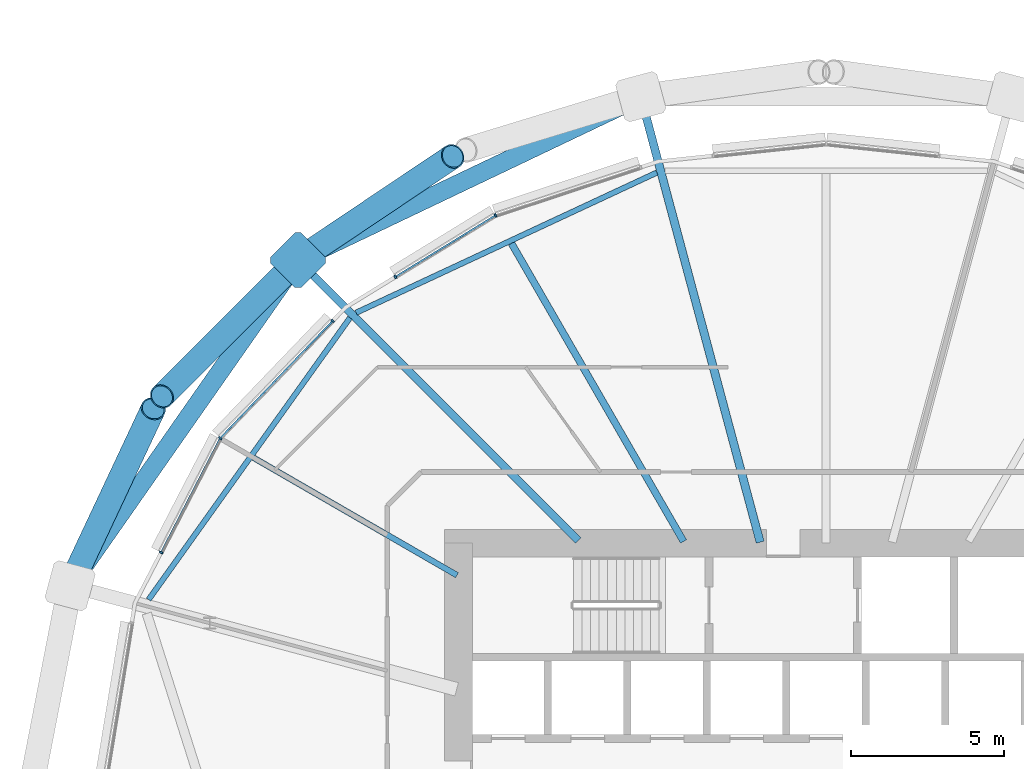
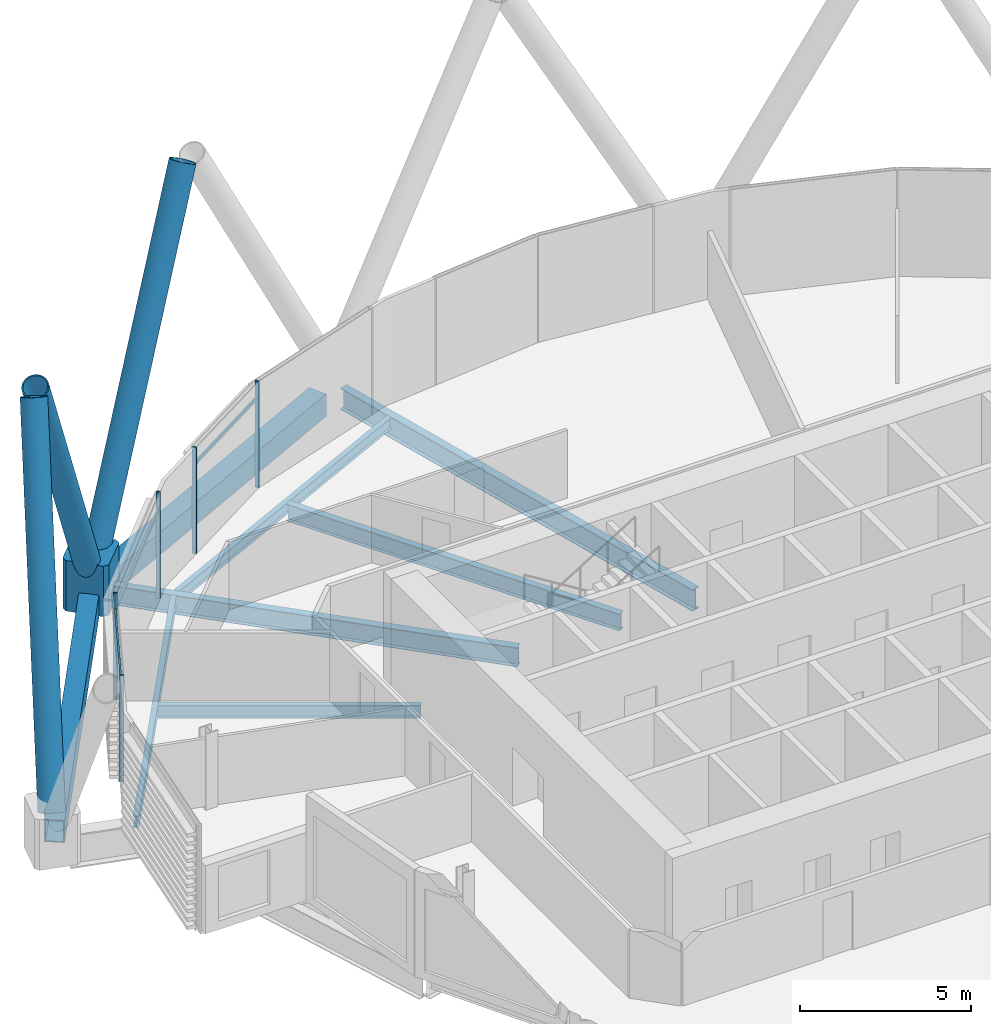
# One storey, part 8 of 36: 12 members, 8 beams, 1 element without a shape of its own.
"""IFC4 building model written with IfcOpenShell, lengths in metres."""

import ifcopenshell
import ifcopenshell.guid

model = None  # the IFC model being written
_history = None  # IfcOwnerHistory: only IFC2X3 demands one
_inside = {}  # id of a spatial element -> (the spatial element, [elements in it])
_under = {}  # id of a project, library or spatial element -> (it, [spatial elements below it])
_declared = {}  # id of a project -> (the project, [libraries it declares])
_typed = {}  # id of a type object -> (the type object, [elements of that type])
_made_of = {}  # id of a material, layer set ... -> (it, [elements and type objects made of it])


def new_model(schema):
    """Start an empty IFC model of exactly this schema.

    Asked for "IFC4X3", IfcOpenShell would pick the latest addendum, in which some entities
    have other attributes; the version numbers below select the first issue.
    IFC2X3 requires an IfcOwnerHistory on every rooted entity: one is made here for all.
    """
    global model, _history
    if schema == "IFC4X3":
        model = ifcopenshell.file(schema_version=(4, 3, 0, 0))
    else:
        model = ifcopenshell.file(schema=schema)
    _inside.clear()
    _under.clear()
    _declared.clear()
    _typed.clear()
    _made_of.clear()
    _history = None
    if model.schema == "IFC2X3":
        org = make("IfcOrganization", Name="unknown")
        user = make(
            "IfcPersonAndOrganization",
            ThePerson=make("IfcPerson", FamilyName="unknown"),
            TheOrganization=org,
        )
        app = make(
            "IfcApplication",
            ApplicationDeveloper=org,
            Version="unknown",
            ApplicationFullName="unknown",
            ApplicationIdentifier="unknown",
        )
        _history = make(
            "IfcOwnerHistory",
            OwningUser=user,
            OwningApplication=app,
            ChangeAction="ADDED",
            CreationDate=0,
        )
    return model


def make(cls, **values):
    """One entity of the class cls with the attributes given. An attribute that is None is left unset."""
    return model.create_entity(
        cls, **{name: value for name, value in values.items() if value is not None}
    )


def rooted(cls, **values):
    """An entity with a GlobalId (a new one), such as an element, a storey or a relation."""
    return make(cls, GlobalId=ifcopenshell.guid.new(), OwnerHistory=_history, **values)


def si_unit(unit_type, name, prefix=None):
    """IfcSIUnit, for example si_unit("LENGTHUNIT", "METRE", prefix="MILLI")."""
    return make("IfcSIUnit", UnitType=unit_type, Prefix=prefix, Name=name)


def assignment(units):
    """IfcUnitAssignment: the units of a project."""
    return None if units is None else make("IfcUnitAssignment", Units=units)


def point(xyz):
    """IfcCartesianPoint."""
    return None if xyz is None else make("IfcCartesianPoint", Coordinates=xyz)


def direction(xyz):
    """IfcDirection."""
    return None if xyz is None else make("IfcDirection", DirectionRatios=xyz)


def frame(location, z_axis=None, x_axis=None):
    """IfcAxis2Placement3D, a coordinate frame: its origin and axes. An axis left out is left unset."""
    return make(
        "IfcAxis2Placement3D",
        Location=point(location),
        Axis=direction(z_axis),
        RefDirection=direction(x_axis),
    )


def frame_2d(location, x_axis=None):
    """IfcAxis2Placement2D, a coordinate frame in the plane: its origin and x axis."""
    return make(
        "IfcAxis2Placement2D", Location=point(location), RefDirection=direction(x_axis)
    )


def origin():
    """The frame at (0, 0, 0) with its axes left unset."""
    return frame((0.0, 0.0, 0.0))


def origin_2d():
    """The frame at (0, 0) in the plane with its x axis left unset."""
    return frame_2d((0.0, 0.0))


def place(relative_to, where):
    """IfcLocalPlacement: puts the frame where relative to a parent placement (None: the world)."""
    return make(
        "IfcLocalPlacement", PlacementRelTo=relative_to, RelativePlacement=where
    )


def context(
    kind, dimensions, precision=None, world=None, true_north=None, identifier=None
):
    """IfcGeometricRepresentationContext, for example the 3D "Model" context."""
    return make(
        "IfcGeometricRepresentationContext",
        ContextIdentifier=identifier,
        ContextType=kind,
        CoordinateSpaceDimension=dimensions,
        Precision=precision,
        WorldCoordinateSystem=world,
        TrueNorth=true_north,
    )


def subcontext(parent, identifier, kind, view, scale=None):
    """IfcGeometricRepresentationSubContext, for example "Body" below "Model"."""
    return make(
        "IfcGeometricRepresentationSubContext",
        ContextIdentifier=identifier,
        ContextType=kind,
        ParentContext=parent,
        TargetScale=scale,
        TargetView=view,
    )


def project(units=None, contexts=None):
    """IfcProject with its units and contexts."""
    return rooted(
        "IfcProject",
        Name="project",
        RepresentationContexts=contexts,
        UnitsInContext=assignment(units),
    )


def spatial(cls, under=None, at=None, **own):
    """A site, building, storey or space (cls), placed at a placement, below another one or the project."""
    s = rooted(cls, ObjectPlacement=at, **own)
    if under is not None:
        _under.setdefault(under.id(), (under, []))[1].append(s)
    return s


def polyline(points):
    """IfcPolyline through the points."""
    return make("IfcPolyline", Points=[point(p) for p in points])


def profile(cls, at=None, kind="AREA", **sizes):
    """A parametric profile (cls). Its sizes go by their IFC names, for example OverallWidth=200.0."""
    return make(cls, ProfileType=kind, Position=at, **sizes)


def rectangle(**sizes):
    """IfcRectangleProfileDef."""
    return profile("IfcRectangleProfileDef", **sizes)


def hollow_rectangle(**sizes):
    """IfcRectangleHollowProfileDef."""
    return profile("IfcRectangleHollowProfileDef", **sizes)


def hollow_circle(**sizes):
    """IfcCircleHollowProfileDef."""
    return profile("IfcCircleHollowProfileDef", **sizes)


def i_section(**sizes):
    """IfcIShapeProfileDef."""
    return profile("IfcIShapeProfileDef", **sizes)


def outline(outer, holes=None, kind="AREA"):
    """IfcArbitraryClosedProfileDef: a profile drawn as a closed curve; with holes, ...WithVoids."""
    if holes is None:
        return make("IfcArbitraryClosedProfileDef", ProfileType=kind, OuterCurve=outer)
    return make(
        "IfcArbitraryProfileDefWithVoids",
        ProfileType=kind,
        OuterCurve=outer,
        InnerCurves=holes,
    )


def extrude(swept, where, along, depth):
    """IfcExtrudedAreaSolid: the profile swept, set in the frame where, extruded along a direction by depth."""
    return make(
        "IfcExtrudedAreaSolid",
        SweptArea=swept,
        Position=where,
        ExtrudedDirection=direction(along),
        Depth=depth,
    )


def shape(context_of_items, identifier, shape_type, items):
    """IfcShapeRepresentation: the items that make up one representation, for example the "Body"."""
    return make(
        "IfcShapeRepresentation",
        ContextOfItems=context_of_items,
        RepresentationIdentifier=identifier,
        RepresentationType=shape_type,
        Items=items,
    )


def material(Name=None, Category=None):
    """IfcMaterial."""
    return make("IfcMaterial", Name=Name, Category=Category)


def material_profile(
    of_material, cross_section, Name=None, Category=None, Priority=None
):
    """IfcMaterialProfile: a cross section and its material."""
    return make(
        "IfcMaterialProfile",
        Name=Name,
        Material=of_material,
        Profile=cross_section,
        Priority=Priority,
        Category=Category,
    )


def profile_set(profiles, Name=None, composite=None):
    """IfcMaterialProfileSet."""
    return make(
        "IfcMaterialProfileSet",
        Name=Name,
        MaterialProfiles=profiles,
        CompositeProfile=composite,
    )


def made_of(thing, what):
    """Note that an element or type object is made of a material, layer set ...; save() writes the relation."""
    if what is not None:
        _made_of.setdefault(what.id(), (what, []))[1].append(thing)
    return thing


def type_object(cls, material=None, **own):
    """A type object (cls), such as IfcWallType, which elements share."""
    return made_of(rooted(cls, **own), material)


def element(
    cls,
    number,
    at=None,
    inside=None,
    cuts=None,
    type_object=None,
    material=None,
    context=None,
    identifier="Body",
    shape_type=None,
    held_by="IfcProductDefinitionShape",
    body=None,
    shapes=None,
    **own,
):
    """One element of the class cls, such as IfcWall. Its Tag is "e" and its number.

    at: its placement. inside: the storey or other place that contains it. cuts: it is an
    opening in that element (IfcRelVoidsElement). A single representation is given by context,
    identifier, shape_type and body (its items); several are given by shapes. held_by: the class
    of the entity that holds the representations. save() writes the other relations.
    """
    e = rooted(cls, Tag="e%d" % number, ObjectPlacement=at, **own)
    if body is not None:
        shapes = [shape(context, identifier, shape_type, body)]
    if shapes is not None:
        e.Representation = make(held_by, Representations=shapes)
    if inside is not None:
        _inside.setdefault(inside.id(), (inside, []))[1].append(e)
    if cuts is not None:
        rooted(
            "IfcRelVoidsElement", RelatingBuildingElement=cuts, RelatedOpeningElement=e
        )
    if type_object is not None:
        _typed.setdefault(type_object.id(), (type_object, []))[1].append(e)
    return made_of(e, material)


def aggregate(whole, parts):
    """IfcRelAggregates: a whole, such as a stair, and the parts it consists of."""
    return rooted("IfcRelAggregates", RelatingObject=whole, RelatedObjects=parts)


def save(model, path):
    """Write the relations noted so far, then the file.

    IfcRelAggregates (storeys below a building ...), IfcRelContainedInSpatialStructure (elements
    in a storey), IfcRelDefinesByType, IfcRelAssociatesMaterial and IfcRelDeclares: one each for
    every whole, place, type object, material and project.
    """
    for whole, parts in _under.values():
        aggregate(whole, parts)
    for where, things in _inside.values():
        rooted(
            "IfcRelContainedInSpatialStructure",
            RelatedElements=things,
            RelatingStructure=where,
        )
    for kind, things in _typed.values():
        rooted("IfcRelDefinesByType", RelatedObjects=things, RelatingType=kind)
    for what, things in _made_of.values():
        rooted("IfcRelAssociatesMaterial", RelatedObjects=things, RelatingMaterial=what)
    for by, libraries in _declared.values():
        rooted("IfcRelDeclares", RelatingContext=by, RelatedDefinitions=libraries)
    model.write(path)


model = new_model("IFC4")

# Units and contexts
model_context = context("Model", 3, precision=1e-05, world=origin(), true_north=direction((0.0, 1.0)))
body_context = subcontext(model_context, "Body", "Model", "MODEL_VIEW")
ifc_project = project(units=[si_unit("LENGTHUNIT", "METRE"), si_unit("AREAUNIT", "SQUARE_METRE"), si_unit("VOLUMEUNIT", "CUBIC_METRE"), si_unit("PLANEANGLEUNIT", "RADIAN"), si_unit("MASSUNIT", "GRAM", prefix="KILO")], contexts=[model_context])

# Site, building, storey
site_placement = place(None, origin())
site = spatial("IfcSite", under=ifc_project, at=site_placement, CompositionType="ELEMENT")
building_placement = place(site_placement, origin())
building = spatial("IfcBuilding", under=site, at=building_placement, Name="Rimbun Link Towers", CompositionType="ELEMENT")
storey_placement = place(building_placement, frame((0.0, 0.0, 64.199951171875)))
storey = spatial("IfcBuildingStorey", under=building, at=storey_placement, Name="L15", CompositionType="ELEMENT", Elevation=64.199951171875)

# Curtain wall, members
ifc_material_1 = material(Name="Aluminium 6063-T6 and low-iron glass", Category="aluminium")
curtain_wall_type = type_object("IfcCurtainWallType", Name="CW1 unitised vision wall", PredefinedType="NOTDEFINED", material=ifc_material_1)
curtain_wall_placement = place(storey_placement, origin())
curtain_wall = element("IfcCurtainWall", 1, at=curtain_wall_placement, inside=storey, type_object=curtain_wall_type, Name="CW1 L15 T1", PredefinedType="NOTDEFINED")
ifc_material_2 = material(Name="Aluminium 6063-T6", Category="aluminium")
ifc_material_profile_1 = material_profile(ifc_material_2, rectangle(XDim=0.1201171875, YDim=0.06005859375, at=origin_2d()), Name="MULLION 60X120")
ifc_profile_set_1 = profile_set([ifc_material_profile_1], Name="Aluminium 6063-T6")
member_type_1 = type_object("IfcMemberType", Name="CW1 mullion 60X120", PredefinedType="MULLION", material=ifc_profile_set_1)
member_1_placement = place(storey_placement, frame((-42.540283203125, 18.699951171875, 0.0), z_axis=(0.0, 0.0, 1.0), x_axis=(-0.421698890318, 0.906735929532, 0.0)))
member_1 = element("IfcMember", 2, at=member_1_placement, type_object=member_type_1, Name="CW1 mullion", PredefinedType="MULLION", context=body_context, shape_type="SweptSolid", body=[
    extrude(rectangle(XDim=0.1201171875, YDim=0.06005859375, at=origin_2d()), origin(), (0.0, 0.0, 1.0), 3.800048828125),
])
member_2_placement = place(storey_placement, frame((-45.809814453125, 16.69287109375, 0.0), z_axis=(0.0, 0.0, 1.0), x_axis=(-0.523239240316, 0.852185835011, 0.0)))
member_2 = element("IfcMember", 3, at=member_2_placement, type_object=member_type_1, Name="CW1 mullion", PredefinedType="MULLION", context=body_context, shape_type="SweptSolid", body=[
    extrude(rectangle(XDim=0.1201171875, YDim=0.06005859375, at=origin_2d()), origin(), (0.0, 0.0, 1.0), 3.800048828125),
])
member_3_placement = place(storey_placement, frame((-51.527587890625, 11.42529296875, 0.0), z_axis=(0.0, 0.0, 1.0), x_axis=(-0.813351214919, 0.581772980801, 0.0)))
member_3 = element("IfcMember", 4, at=member_3_placement, type_object=member_type_1, Name="CW1 mullion", PredefinedType="MULLION", context=body_context, shape_type="SweptSolid", body=[
    extrude(rectangle(XDim=0.1201171875, YDim=0.06005859375, at=origin_2d()), origin(), (0.0, 0.0, 1.0), 3.800048828125),
])
member_4_placement = place(storey_placement, frame((-47.856201171875, 15.256103515625, 0.0), z_axis=(0.0, 0.0, 1.0), x_axis=(-0.721854427226, 0.692044930546, 0.0)))
member_4 = element("IfcMember", 5, at=member_4_placement, type_object=member_type_1, Name="CW1 mullion", PredefinedType="MULLION", context=body_context, shape_type="SweptSolid", body=[
    extrude(rectangle(XDim=0.1201171875, YDim=0.06005859375, at=origin_2d()), origin(), (0.0, 0.0, 1.0), 3.800048828125),
])
member_5_placement = place(storey_placement, frame((-53.455810546875, 7.7001953125, 0.0), z_axis=(0.0, 0.0, 1.0), x_axis=(-0.888148629228, 0.45955632125, 0.0)))
member_5 = element("IfcMember", 6, at=member_5_placement, type_object=member_type_1, Name="CW1 mullion", PredefinedType="MULLION", context=body_context, shape_type="SweptSolid", body=[
    extrude(rectangle(XDim=0.1201171875, YDim=0.06005859375, at=origin_2d()), origin(), (0.0, 0.0, 1.0), 3.800048828125),
])
ifc_material_3 = material(Name="Aluminium 6063-T6", Category="aluminium")
ifc_material_profile_2 = material_profile(ifc_material_3, rectangle(XDim=0.06005859375, YDim=0.1201171875, at=origin_2d()), Name="TRANSOM 60X120")
ifc_profile_set_2 = profile_set([ifc_material_profile_2], Name="Aluminium 6063-T6")
member_type_2 = type_object("IfcMemberType", Name="CW1 transom 60X120", PredefinedType="USERDEFINED", material=ifc_profile_set_2)
member_6_placement = place(storey_placement, frame((-45.783203125, 16.706787109375, 3.199951171875), z_axis=(0.852184905229, 0.523240754624, 0.0), x_axis=(-0.523240754624, 0.852184905229, 0.0)))
member_6 = element("IfcMember", 7, at=member_6_placement, type_object=member_type_2, Name="CW1 transom", ObjectType="TRANSOM", PredefinedType="USERDEFINED", context=body_context, shape_type="SweptSolid", body=[
    extrude(rectangle(XDim=0.06005859375, YDim=0.1201171875, at=origin_2d()), origin(), (0.0, 0.0, 1.0), 3.76953125),
])
member_7_placement = place(storey_placement, frame((-51.5, 11.452392578125, 3.199951171875), z_axis=(0.692056205714, 0.721843617505, 0.0), x_axis=(-0.721843617505, 0.692056205714, 0.0)))
member_7 = element("IfcMember", 8, at=member_7_placement, type_object=member_type_2, Name="CW1 transom", ObjectType="TRANSOM", PredefinedType="USERDEFINED", context=body_context, shape_type="SweptSolid", body=[
    extrude(rectangle(XDim=0.06005859375, YDim=0.1201171875, at=origin_2d()), origin(), (0.0, 0.0, 1.0), 5.2373046875),
])
member_8_placement = place(storey_placement, frame((-53.4404296875, 7.72607421875, 3.199951171875), z_axis=(0.459572613306, 0.888140199011, 0.0), x_axis=(-0.888140199011, 0.459572613306, 0.0)))
member_8 = element("IfcMember", 9, at=member_8_placement, type_object=member_type_2, Name="CW1 transom", ObjectType="TRANSOM", PredefinedType="USERDEFINED", context=body_context, shape_type="SweptSolid", body=[
    extrude(rectangle(XDim=0.06005859375, YDim=0.1201171875, at=origin_2d()), origin(), (0.0, 0.0, 1.0), 4.1259765625),
])
aggregate(curtain_wall, [member_1, member_2, member_3, member_4, member_5, member_6, member_7, member_8])

# Members
ifc_material_4 = material(Name="Steel S460NH", Category="steel")
ifc_material_profile_3 = material_profile(ifc_material_4, hollow_circle(Radius=0.406494140625, WallThickness=0.0400390625, at=origin_2d()), Name="Diagrid diagonal CHS 813x40")
ifc_profile_set_3 = profile_set([ifc_material_profile_3], Name="Steel S460NH")
member_type_3 = type_object("IfcMemberType", Name="Diagrid diagonal CHS 813x40", PredefinedType="BRACE", material=ifc_profile_set_3)
member_9_placement = place(storey_placement, frame((-48.787109375, 17.37353515625, 0.437255859375), z_axis=(0.402836641157, 0.270288559492, 0.874452248639), x_axis=(-0.55716779245, 0.830399934403, 0.0)))
element("IfcMember", 10, at=member_9_placement, inside=storey, type_object=member_type_3, Name="Diagrid diagonal T1 L15-L18 09a", PredefinedType="BRACE", context=body_context, shape_type="SweptSolid", body=[
    extrude(hollow_circle(Radius=0.406494140625, WallThickness=0.0400390625, at=origin_2d()), origin(), (0.0, 0.0, 1.0), 12.036865234375),
])
member_10_placement = place(storey_placement, frame((-49.164306640625, 17.062744140625, 0.433837890625), z_axis=(-0.351368113295, -0.351669803146, 0.867680124536), x_axis=(0.707410151948, -0.706803280214, 0.0)))
element("IfcMember", 11, at=member_10_placement, inside=storey, type_object=member_type_3, Name="Diagrid diagonal T1 L15-L18 09b", PredefinedType="BRACE", context=body_context, shape_type="SweptSolid", body=[
    extrude(hollow_circle(Radius=0.406494140625, WallThickness=0.0400390625, at=origin_2d()), origin(), (0.0, 0.0, 1.0), 12.138671875),
])
member_11_placement = place(storey_placement, frame((-56.319091796875, 6.839599609375, 0.43212890625), z_axis=(0.213846772406, 0.455330606614, 0.864258987001), x_axis=(-0.905145044883, 0.425102867226, 0.0)))
element("IfcMember", 12, at=member_11_placement, inside=storey, type_object=member_type_3, Name="Diagrid diagonal T1 L15-L18 11a", PredefinedType="BRACE", context=body_context, shape_type="SweptSolid", body=[
    extrude(hollow_circle(Radius=0.406494140625, WallThickness=0.0400390625, at=origin_2d()), origin(), (0.0, 0.0, 1.0), 12.190673828125),
])
ifc_material_5 = material(Name="Cast steel G20Mn5+QT, Rp0.2 300 MPa", Category="steel")
ifc_material_profile_4 = material_profile(ifc_material_5, outline(polyline([(0.699951171875, -0.570068359375), (0.699951171875, 0.570068359375), (0.570068359375, 0.699951171875), (-0.570068359375, 0.699951171875), (-0.699951171875, 0.570068359375), (-0.699951171875, -0.570068359375), (-0.570068359375, -0.699951171875), (0.570068359375, -0.699951171875), (0.699951171875, -0.570068359375)])), Name="NODE 1400x1400")
ifc_profile_set_4 = profile_set([ifc_material_profile_4], Name="Cast steel G20Mn5+QT, Rp0.2 300 MPa")
member_type_4 = type_object("IfcMemberType", Name="Diagrid node cast 1400", PredefinedType="USERDEFINED", material=ifc_profile_set_4)
member_12_placement = place(storey_placement, frame((-48.988525390625, 17.238525390625, -0.89990234375), z_axis=(0.0, 0.0, 1.0), x_axis=(-0.707106781187, 0.707106781187, 0.0)))
element("IfcMember", 13, at=member_12_placement, inside=storey, type_object=member_type_4, Name="Diagrid node L15 09", ObjectType="Diagrid node", PredefinedType="USERDEFINED", context=body_context, shape_type="SweptSolid", body=[
    extrude(outline(polyline([(0.699951171875, -0.570068359375), (0.699951171875, 0.570068359375), (0.570068359375, 0.699951171875), (-0.570068359375, 0.699951171875), (-0.699951171875, 0.570068359375), (-0.699951171875, -0.570068359375), (-0.570068359375, -0.699951171875), (0.570068359375, -0.699951171875), (0.699951171875, -0.570068359375)])), origin(), (0.0, 0.0, 1.0), 1.800048828125),
])

# Beams
ifc_material_6 = material(Name="Steel S355J2", Category="steel")
ifc_material_profile_5 = material_profile(ifc_material_6, hollow_rectangle(XDim=0.60009765625, YDim=0.800048828125, WallThickness=0.0400390625, at=origin_2d()), Name="Exoskeleton ring girder BOX 600x800x40")
ifc_profile_set_5 = profile_set([ifc_material_profile_5], Name="Steel S355J2")
beam_type_1 = type_object("IfcBeamType", Name="Exoskeleton ring girder BOX 600x800x40", PredefinedType="BEAM", material=ifc_profile_set_5)
beam_1_placement = place(storey_placement, frame((-38.4306640625, 22.273193359375, -0.56005859375), z_axis=(-0.902623188498, -0.430431620105, 0.0), x_axis=(0.430431620105, -0.902623188498, 0.0)))
element("IfcBeam", 14, at=beam_1_placement, inside=storey, type_object=beam_type_1, Name="Exoskeleton ring girder L15 03", PredefinedType="BEAM", context=body_context, shape_type="SweptSolid", body=[
    extrude(hollow_rectangle(XDim=0.60009765625, YDim=0.800048828125, WallThickness=0.0400390625, at=origin_2d()), origin(), (0.0, 0.0, 1.0), 10.996826171875),
])
beam_2_placement = place(storey_placement, frame((-49.389892578125, 16.6650390625, -0.56005859375), z_axis=(-0.573401451452, -0.819274542185, 0.0), x_axis=(0.819274542185, -0.573401451452, 0.0)))
element("IfcBeam", 15, at=beam_2_placement, inside=storey, type_object=beam_type_1, Name="Exoskeleton ring girder L15 04", PredefinedType="BEAM", context=body_context, shape_type="SweptSolid", body=[
    extrude(hollow_rectangle(XDim=0.60009765625, YDim=0.800048828125, WallThickness=0.0400390625, at=origin_2d()), origin(), (0.0, 0.0, 1.0), 11.57080078125),
])
ifc_material_7 = material(Name="Steel S355J2", Category="steel")
ifc_material_profile_6 = material_profile(ifc_material_7, i_section(OverallWidth=0.177978515625, OverallDepth=0.406494140625, WebThickness=0.0078125, FlangeThickness=0.0126953125, at=origin_2d()), Name="UB 406x178x60")
ifc_profile_set_6 = profile_set([ifc_material_profile_6], Name="Steel S355J2")
beam_type_2 = type_object("IfcBeamType", Name="UB 406x178x60", PredefinedType="BEAM", material=ifc_profile_set_6)
beam_3_placement = place(storey_placement, frame((-37.274658203125, 20.09912109375, -0.363037109375), z_axis=(-0.906386298275, -0.422449853, 0.0), x_axis=(0.422449853, -0.906386298275, 0.0)))
element("IfcBeam", 16, at=beam_3_placement, inside=storey, type_object=beam_type_2, Name="Edge beam T1 L15 07-09", PredefinedType="BEAM", context=body_context, shape_type="SweptSolid", body=[
    extrude(i_section(OverallWidth=0.177978515625, OverallDepth=0.406494140625, WebThickness=0.0078125, FlangeThickness=0.0126953125, at=origin_2d()), origin(), (0.0, 0.0, 1.0), 10.831787109375),
])
beam_4_placement = place(storey_placement, frame((-47.291259765625, 15.3603515625, -0.363037109375), z_axis=(-0.581358683872, -0.813647393338, 0.0), x_axis=(0.813647393338, -0.581358683872, 0.0)))
element("IfcBeam", 17, at=beam_4_placement, inside=storey, type_object=beam_type_2, Name="Edge beam T1 L15 09-11", PredefinedType="BEAM", context=body_context, shape_type="SweptSolid", body=[
    extrude(i_section(OverallWidth=0.177978515625, OverallDepth=0.406494140625, WebThickness=0.0078125, FlangeThickness=0.0126953125, at=origin_2d()), origin(), (0.0, 0.0, 1.0), 11.307861328125),
])
ifc_material_8 = material(Name="Steel S355J2", Category="steel")
ifc_material_profile_7 = material_profile(ifc_material_8, i_section(OverallWidth=0.18994140625, OverallDepth=0.453369140625, WebThickness=0.008544921875, FlangeThickness=0.0126953125, at=origin_2d()), Name="UB 457x191x67")
ifc_profile_set_7 = profile_set([ifc_material_profile_7], Name="Steel S355J2")
beam_type_3 = type_object("IfcBeamType", Name="UB 457x191x67", PredefinedType="BEAM", material=ifc_profile_set_7)
beam_5_placement = place(storey_placement, frame((-43.79833984375, 6.9560546875, -0.38671875), z_axis=(-0.866012339475, 0.500022627366, 0.0), x_axis=(-0.500022627366, -0.866012339475, 0.0)))
element("IfcBeam", 18, at=beam_5_placement, inside=storey, type_object=beam_type_3, Name="Radial beam T1 L15 10", PredefinedType="BEAM", context=body_context, shape_type="SweptSolid", body=[
    extrude(i_section(OverallWidth=0.18994140625, OverallDepth=0.453369140625, WebThickness=0.008544921875, FlangeThickness=0.0126953125, at=origin_2d()), origin(), (0.0, 0.0, 1.0), 7.674072265625),
])
ifc_material_9 = material(Name="Steel S355J2", Category="steel")
ifc_material_profile_8 = material_profile(ifc_material_9, i_section(OverallWidth=0.2275390625, OverallDepth=0.6025390625, WebThickness=0.010498046875, FlangeThickness=0.014892578125, at=origin_2d()), Name="UB 610x229x101")
ifc_profile_set_8 = profile_set([ifc_material_profile_8], Name="Steel S355J2")
beam_type_4 = type_object("IfcBeamType", Name="UB 610x229x101", PredefinedType="BEAM", material=ifc_profile_set_8)
beam_6_placement = place(storey_placement, frame((-36.402099609375, 8.057861328125, -0.461181640625), z_axis=(-0.50001148964, 0.866018770136, 0.0), x_axis=(-0.866018770136, -0.50001148964, 0.0)))
element("IfcBeam", 19, at=beam_6_placement, inside=storey, type_object=beam_type_4, Name="Radial beam T1 L15 08", PredefinedType="BEAM", context=body_context, shape_type="SweptSolid", body=[
    extrude(i_section(OverallWidth=0.2275390625, OverallDepth=0.6025390625, WebThickness=0.010498046875, FlangeThickness=0.014892578125, at=origin_2d()), origin(), (0.0, 0.0, 1.0), 11.235595703125),
])
ifc_material_10 = material(Name="Steel S355J2", Category="steel")
ifc_material_profile_9 = material_profile(ifc_material_10, i_section(OverallWidth=0.253662109375, OverallDepth=0.68359375, WebThickness=0.012451171875, FlangeThickness=0.01904296875, at=origin_2d()), Name="UB 686x254x140")
ifc_profile_set_9 = profile_set([ifc_material_profile_9], Name="Steel S355J2")
beam_type_5 = type_object("IfcBeamType", Name="UB 686x254x140", PredefinedType="BEAM", material=ifc_profile_set_9)
beam_7_placement = place(storey_placement, frame((-39.84033203125, 8.09033203125, -0.501708984375), z_axis=(-0.707106781187, 0.707106781187, 0.0), x_axis=(-0.707106781187, -0.707106781187, 0.0)))
element("IfcBeam", 20, at=beam_7_placement, inside=storey, type_object=beam_type_5, Name="Radial beam T1 L15 09", PredefinedType="BEAM", context=body_context, shape_type="SweptSolid", body=[
    extrude(i_section(OverallWidth=0.253662109375, OverallDepth=0.68359375, WebThickness=0.012451171875, FlangeThickness=0.01904296875, at=origin_2d()), origin(), (0.0, 0.0, 1.0), 12.4375),
])
ifc_material_11 = material(Name="Steel S355J2", Category="steel")
ifc_material_profile_10 = material_profile(ifc_material_11, i_section(OverallWidth=0.2666015625, OverallDepth=0.76220703125, WebThickness=0.014404296875, FlangeThickness=0.021484375, at=origin_2d()), Name="UB 762x267x173")
ifc_profile_set_10 = profile_set([ifc_material_profile_10], Name="Steel S355J2")
beam_type_6 = type_object("IfcBeamType", Name="UB 762x267x173", PredefinedType="BEAM", material=ifc_profile_set_10)
beam_8_placement = place(storey_placement, frame((-33.9033203125, 8.035400390625, -0.541015625), z_axis=(-0.258804850559, 0.965929629594, 0.0), x_axis=(-0.965929629594, -0.258804850559, 0.0)))
element("IfcBeam", 21, at=beam_8_placement, inside=storey, type_object=beam_type_6, Name="Radial beam T1 L15 07", PredefinedType="BEAM", context=body_context, shape_type="SweptSolid", body=[
    extrude(i_section(OverallWidth=0.2666015625, OverallDepth=0.76220703125, WebThickness=0.014404296875, FlangeThickness=0.021484375, at=origin_2d()), origin(), (0.0, 0.0, 1.0), 14.552001953125),
])

save(model, "model.ifc")
